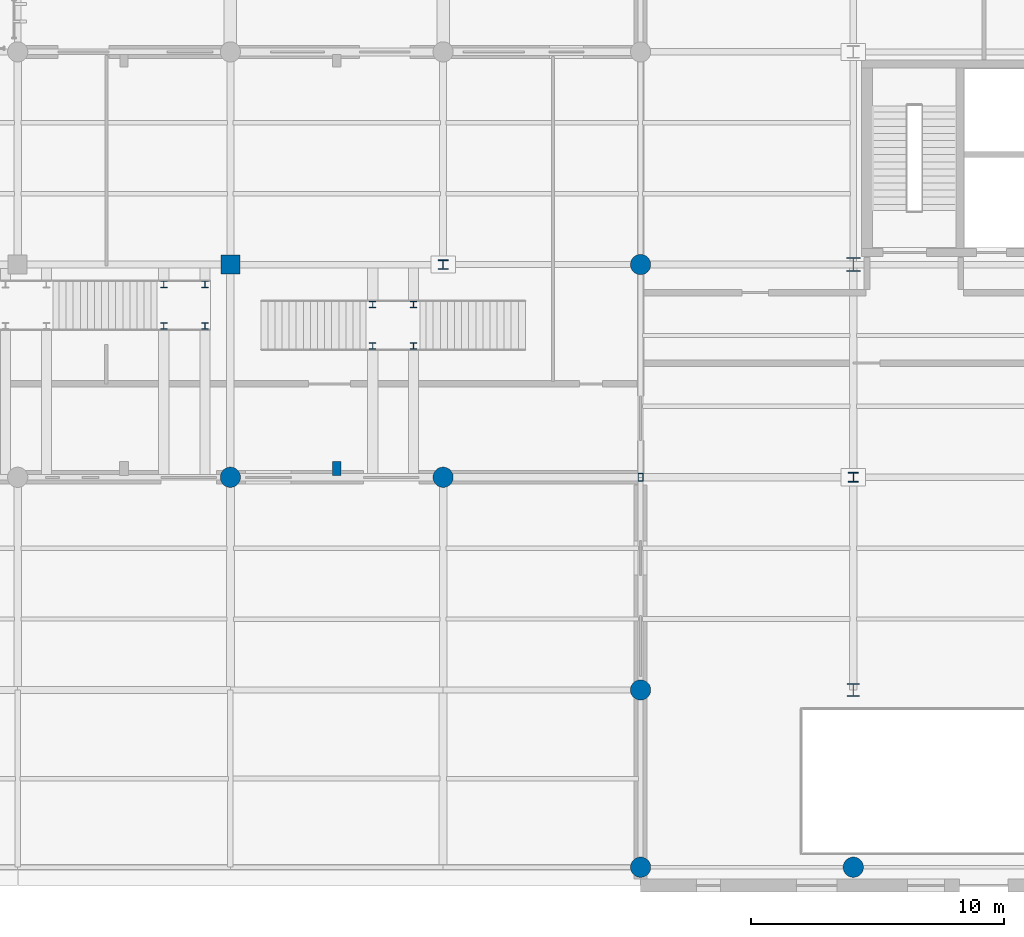
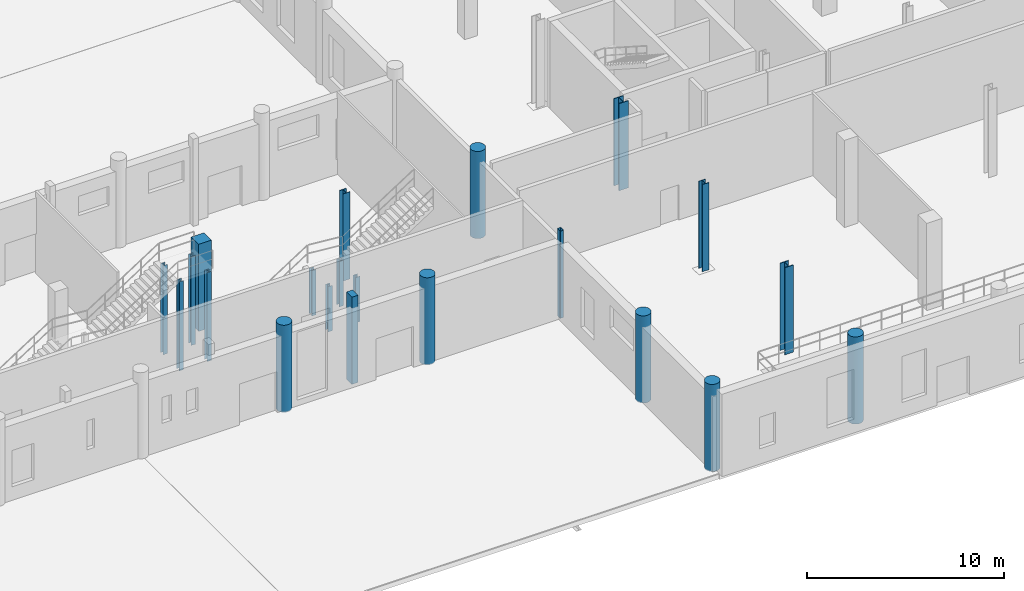
# One storey, part 7 of 112: 21 columns.
"""IFC4 building model written with IfcOpenShell, lengths in metres."""

from ifc_helpers import new_model, si_unit, direction, frame, origin_with_axes, origin_2d_with_axis, place, context, subcontext, project, spatial, rectangle, hollow_rectangle, circle, i_section, extrude, material, material_profile, profile_set, type_object, element, save


model = new_model("IFC4")

# Units and contexts
model_context = context("Model", 3, precision=1e-05, world=origin_with_axes(), true_north=direction((0.0, 1.0)))
body_context = subcontext(model_context, "Body", "Model", "MODEL_VIEW")
ifc_project = project(units=[si_unit("LENGTHUNIT", "METRE"), si_unit("AREAUNIT", "SQUARE_METRE"), si_unit("VOLUMEUNIT", "CUBIC_METRE"), si_unit("PLANEANGLEUNIT", "RADIAN"), si_unit("MASSUNIT", "GRAM", prefix="KILO"), si_unit("THERMODYNAMICTEMPERATUREUNIT", "KELVIN")], contexts=[model_context])

# Site, building, storey
site_placement = place(None, origin_with_axes())
site = spatial("IfcSite", under=ifc_project, at=site_placement, CompositionType="ELEMENT")
building_placement = place(site_placement, origin_with_axes())
building = spatial("IfcBuilding", under=site, at=building_placement, Name="Montbau Bow Law Courts", CompositionType="ELEMENT")
storey_placement = place(building_placement, origin_with_axes())
storey = spatial("IfcBuildingStorey", under=building, at=storey_placement, Name="L00", CompositionType="ELEMENT", Elevation=0.0)

# Columns
ifc_material_1 = material(Name="Steel CSA G40.21 Grade 350WT (350 MPa)", Category="steel")
ifc_material_profile_1 = material_profile(ifc_material_1, hollow_rectangle(XDim=0.203, YDim=0.305, WallThickness=0.0127, InnerFilletRadius=0.0254, OuterFilletRadius=0.0127, at=origin_2d_with_axis()), Name="HSS305X203X13", Category="Main", Priority=0)
ifc_profile_set_1 = profile_set([ifc_material_profile_1], Name="Steel CSA G40.21 Grade 350WT (350 MPa)")
column_type_1 = type_object("IfcColumnType", Name="C-HSS-03", PredefinedType="COLUMN", material=ifc_profile_set_1)
column_1_placement = place(None, frame((121.8, 22.2, 0.0), z_axis=(0.0, 0.0, 1.0), x_axis=(1.0, 0.0, 0.0)))
element("IfcColumn", 1, at=column_1_placement, inside=storey, type_object=column_type_1, Name="C-L00-S0270:col2_0270", PredefinedType="COLUMN", context=body_context, shape_type="SweptSolid", body=[
    extrude(hollow_rectangle(XDim=0.203, YDim=0.305, WallThickness=0.0127, InnerFilletRadius=0.0254, OuterFilletRadius=0.0127, at=origin_2d_with_axis()), origin_with_axes(), (0.0, 0.0, 1.0), 5.4),
])
ifc_material_2 = material(Name="Concrete CSA A23.1 f'c 40 MPa", Category="concrete")
ifc_material_profile_2 = material_profile(ifc_material_2, rectangle(XDim=0.35, YDim=0.55, at=origin_2d_with_axis()), Name="RC550X350", Category="Main", Priority=0)
ifc_profile_set_2 = profile_set([ifc_material_profile_2], Name="Concrete CSA A23.1 f'c 40 MPa")
column_type_2 = type_object("IfcColumnType", Name="C-PIL-01", PredefinedType="PILASTER", material=ifc_profile_set_2)
column_2_placement = place(None, frame((109.8, 22.55, 0.0), z_axis=(0.0, 0.0, 1.0), x_axis=(1.0, 0.0, 0.0)))
element("IfcColumn", 2, at=column_2_placement, inside=storey, type_object=column_type_2, Name="PL-L00-S08:pil2_0023", PredefinedType="PILASTER", context=body_context, shape_type="SweptSolid", body=[
    extrude(rectangle(XDim=0.35, YDim=0.55, at=origin_2d_with_axis()), origin_with_axes(), (0.0, 0.0, 1.0), 5.4),
])
ifc_material_profile_3 = material_profile(ifc_material_2, rectangle(XDim=0.75, YDim=0.75, at=origin_2d_with_axis()), Name="RC750X750", Category="Main", Priority=0)
ifc_profile_set_3 = profile_set([ifc_material_profile_3], Name="Concrete CSA A23.1 f'c 40 MPa")
column_type_3 = type_object("IfcColumnType", Name="C-RC-03", PredefinedType="COLUMN", material=ifc_profile_set_3)
column_3_placement = place(None, frame((105.6, 30.6, 0.0), z_axis=(0.0, 0.0, 1.0), x_axis=(1.0, 0.0, 0.0)))
element("IfcColumn", 3, at=column_3_placement, inside=storey, type_object=column_type_3, Name="C-L00-S0263:col2_0263", PredefinedType="COLUMN", context=body_context, shape_type="SweptSolid", body=[
    extrude(rectangle(XDim=0.75, YDim=0.75, at=origin_2d_with_axis()), origin_with_axes(), (0.0, 0.0, 1.0), 5.4),
])
ifc_material_profile_4 = material_profile(ifc_material_2, circle(Radius=0.4, at=origin_2d_with_axis()), Name="RC800D", Category="Main", Priority=0)
ifc_profile_set_4 = profile_set([ifc_material_profile_4], Name="Concrete CSA A23.1 f'c 40 MPa")
column_type_4 = type_object("IfcColumnType", Name="C-RC-07", PredefinedType="COLUMN", material=ifc_profile_set_4)
for number, where, z_axis, x_axis, name in (
    (4, (105.6, 22.2, 0.0), (0.0, 0.0, 1.0), (1.0, 0.0, 0.0), "C-L00-S0262:col2_0262"),
    (5, (114.0, 22.2, 0.0), (0.0, 0.0, 1.0), (1.0, 0.0, 0.0), "C-L00-S0265:col2_0265"),
    (6, (121.8, 6.8, 0.0), (0.0, 0.0, 1.0), (1.0, 0.0, 0.0), "C-L00-S0268:col2_0268"),
    (7, (121.8, 13.8, 0.0), (0.0, 0.0, 1.0), (1.0, 0.0, 0.0), "C-L00-S0269:col2_0269"),
    (8, (121.8, 30.6, 0.0), (0.0, 0.0, 1.0), (1.0, 0.0, 0.0), "C-L00-S0271:col2_0271"),
    (9, (130.2, 6.8, 0.0), (0.0, 0.0, 1.0), (1.0, 0.0, 0.0), "C-L00-S0276:col2_0276"),
):
    element("IfcColumn", number, at=place(None, frame(where, z_axis=z_axis, x_axis=x_axis)), inside=storey, type_object=column_type_4, Name=name, PredefinedType="COLUMN", context=body_context, shape_type="SweptSolid", body=[
        extrude(circle(Radius=0.4, at=origin_2d_with_axis()), origin_with_axes(), (0.0, 0.0, 1.0), 5.4),
    ])
ifc_material_3 = material(Name="Steel CSA G40.21 Grade 350W (350 MPa)", Category="steel")
ifc_material_profile_5 = material_profile(ifc_material_3, i_section(OverallWidth=0.55, OverallDepth=0.55, WebThickness=0.025, FlangeThickness=0.042, at=origin_2d_with_axis()), Name="WWF550X420", Category="Main", Priority=0)
ifc_profile_set_5 = profile_set([ifc_material_profile_5], Name="Steel CSA G40.21 Grade 350W (350 MPa)")
column_type_5 = type_object("IfcColumnType", Name="C-STL-01", PredefinedType="COLUMN", material=ifc_profile_set_5)
column_4_placement = place(None, frame((130.2, 30.6, 0.0), z_axis=(0.0, 0.0, 1.0), x_axis=(1.0, 0.0, 0.0)))
element("IfcColumn", 10, at=column_4_placement, inside=storey, type_object=column_type_5, Name="C-L00-S0279:col2_0279", PredefinedType="COLUMN", context=body_context, shape_type="SweptSolid", body=[
    extrude(i_section(OverallWidth=0.55, OverallDepth=0.55, WebThickness=0.025, FlangeThickness=0.042, at=origin_2d_with_axis()), origin_with_axes(), (0.0, 0.0, 1.0), 5.4),
])
ifc_material_profile_6 = material_profile(ifc_material_3, i_section(OverallWidth=0.5, OverallDepth=0.5, WebThickness=0.022, FlangeThickness=0.036, at=origin_2d_with_axis()), Name="WWF500X343", Category="Main", Priority=0)
ifc_profile_set_6 = profile_set([ifc_material_profile_6], Name="Steel CSA G40.21 Grade 350W (350 MPa)")
column_type_6 = type_object("IfcColumnType", Name="C-STL-02", PredefinedType="COLUMN", material=ifc_profile_set_6)
column_5_placement = place(None, frame((130.2, 13.8, 0.0), z_axis=(0.0, 0.0, 1.0), x_axis=(1.0, 0.0, 0.0)))
element("IfcColumn", 11, at=column_5_placement, inside=storey, type_object=column_type_6, Name="C-L00-S0277:col2_0277", PredefinedType="COLUMN", context=body_context, shape_type="SweptSolid", body=[
    extrude(i_section(OverallWidth=0.5, OverallDepth=0.5, WebThickness=0.022, FlangeThickness=0.036, at=origin_2d_with_axis()), origin_with_axes(), (0.0, 0.0, 1.0), 5.4),
])
ifc_material_profile_7 = material_profile(ifc_material_3, i_section(OverallWidth=0.395, OverallDepth=0.38, WebThickness=0.0189, FlangeThickness=0.0302, at=origin_2d_with_axis()), Name="W360X237", Category="Main", Priority=0)
ifc_profile_set_7 = profile_set([ifc_material_profile_7], Name="Steel CSA G40.21 Grade 350W (350 MPa)")
column_type_7 = type_object("IfcColumnType", Name="C-STL-03", PredefinedType="COLUMN", material=ifc_profile_set_7)
for number, where, z_axis, x_axis, name in (
    (12, (114.0, 30.6, 0.0), (0.0, 0.0, 1.0), (1.0, 0.0, 0.0), "C-L00-S0266:col2_0266"),
    (13, (130.2, 22.2, 0.0), (0.0, 0.0, 1.0), (1.0, 0.0, 0.0), "C-L00-S0278:col2_0278"),
):
    element("IfcColumn", number, at=place(None, frame(where, z_axis=z_axis, x_axis=x_axis)), inside=storey, type_object=column_type_7, Name=name, PredefinedType="COLUMN", context=body_context, shape_type="SweptSolid", body=[
        extrude(i_section(OverallWidth=0.395, OverallDepth=0.38, WebThickness=0.0189, FlangeThickness=0.0302, at=origin_2d_with_axis()), origin_with_axes(), (0.0, 0.0, 1.0), 5.4),
    ])
ifc_material_profile_8 = material_profile(ifc_material_3, i_section(OverallWidth=0.256, OverallDepth=0.26, WebThickness=0.0107, FlangeThickness=0.0173, at=origin_2d_with_axis()), Name="W250X89", Category="Main", Priority=0)
ifc_profile_set_8 = profile_set([ifc_material_profile_8], Name="Steel CSA G40.21 Grade 350W (350 MPa)")
column_type_8 = type_object("IfcColumnType", Name="C-STL-08", PredefinedType="COLUMN", material=ifc_profile_set_8)
for number, where, z_axis, x_axis, name in (
    (14, (111.22, 27.38, -0.29), (0.0, 0.0, 1.0), (1.0, 0.0, 0.0), "C-ST-L00-05:col2_1124"),
    (15, (111.22, 29.02, -0.29), (0.0, 0.0, 1.0), (1.0, 0.0, 0.0), "C-ST-L00-06:col2_1125"),
    (16, (112.83, 27.38, -0.29), (0.0, 0.0, 1.0), (1.0, 0.0, 0.0), "C-ST-L00-07:col2_1126"),
    (17, (112.83, 29.02, -0.29), (0.0, 0.0, 1.0), (1.0, 0.0, 0.0), "C-ST-L00-08:col2_1127"),
):
    element("IfcColumn", number, at=place(None, frame(where, z_axis=z_axis, x_axis=x_axis)), inside=storey, type_object=column_type_8, Name=name, PredefinedType="COLUMN", context=body_context, shape_type="SweptSolid", body=[
        extrude(i_section(OverallWidth=0.256, OverallDepth=0.26, WebThickness=0.0107, FlangeThickness=0.0173, at=origin_2d_with_axis()), origin_with_axes(), (0.0, 0.0, 1.0), 2.81),
    ])
for number, where, z_axis, x_axis, name in (
    (18, (102.97, 28.18, -0.29), (0.0, 0.0, 1.0), (1.0, 0.0, 0.0), "C-ST-L00-13:col2_1132"),
    (19, (102.97, 29.82, -0.29), (0.0, 0.0, 1.0), (1.0, 0.0, 0.0), "C-ST-L00-14:col2_1133"),
    (20, (104.6, 28.18, -0.29), (0.0, 0.0, 1.0), (1.0, 0.0, 0.0), "C-ST-L00-15:col2_1134"),
    (21, (104.6, 29.82, -0.29), (0.0, 0.0, 1.0), (1.0, 0.0, 0.0), "C-ST-L00-16:col2_1135"),
):
    element("IfcColumn", number, at=place(None, frame(where, z_axis=z_axis, x_axis=x_axis)), inside=storey, type_object=column_type_8, Name=name, PredefinedType="COLUMN", context=body_context, shape_type="SweptSolid", body=[
        extrude(i_section(OverallWidth=0.256, OverallDepth=0.26, WebThickness=0.0107, FlangeThickness=0.0173, at=origin_2d_with_axis()), origin_with_axes(), (0.0, 0.0, 1.0), 5.51),
    ])

save(model, "model.ifc")
